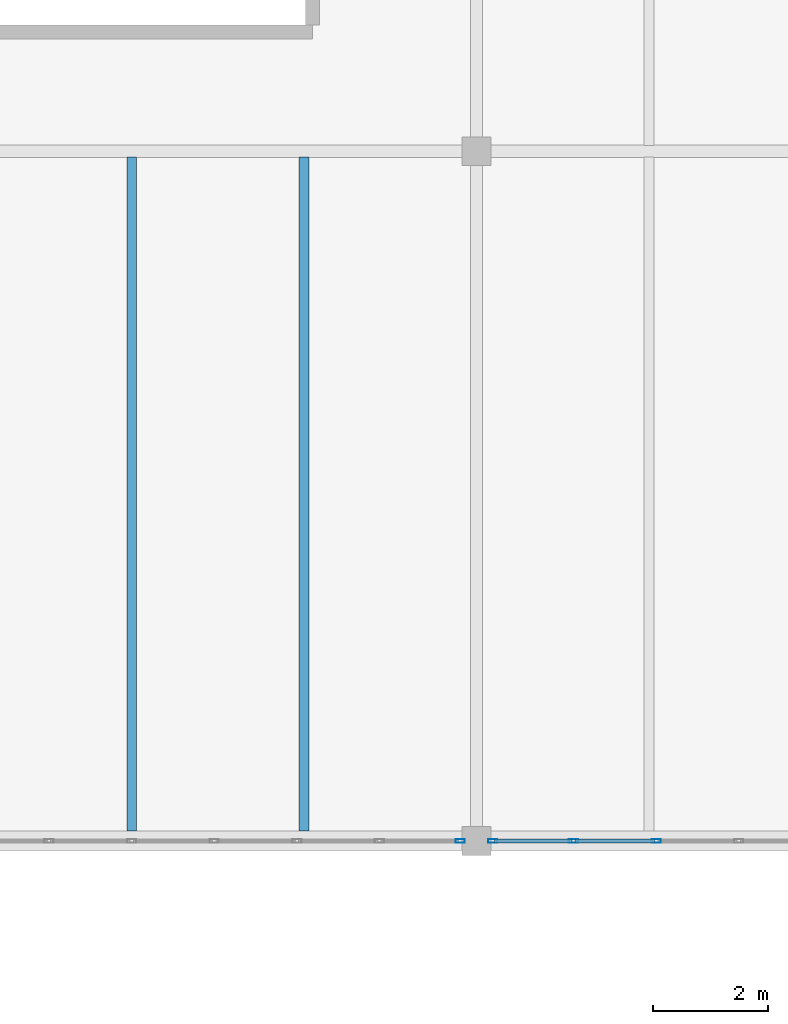
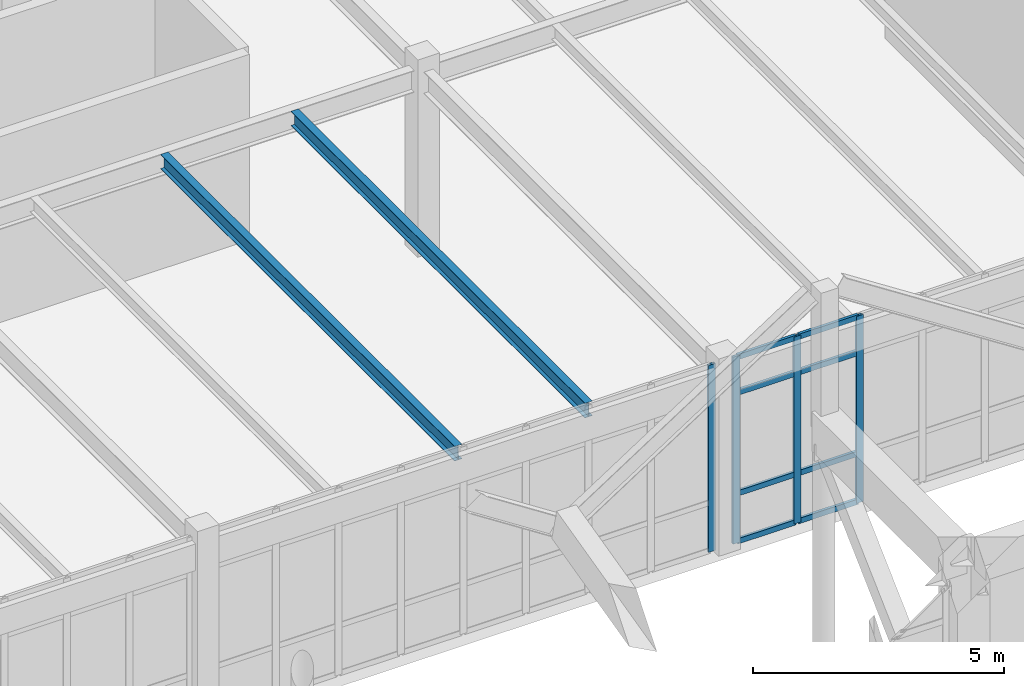
# One storey, part 106 of 236: 12 members, 2 beams, 2 elements without a shape of their own.
"""IFC4 building model written with IfcOpenShell, lengths in metres."""

from ifc_helpers import new_model, si_unit, direction, frame, origin, origin_2d, place, context, subcontext, project, spatial, hollow_rectangle, i_section, extrude, material, layer, layer_set, material_profile, profile_set, type_object, element, aggregate, save


model = new_model("IFC4")

# Units and contexts
model_context = context("Model", 3, precision=1e-05, world=origin(), true_north=direction((0.0, 1.0)))
body_context = subcontext(model_context, "Body", "Model", "MODEL_VIEW")
ifc_project = project(units=[si_unit("LENGTHUNIT", "METRE"), si_unit("AREAUNIT", "SQUARE_METRE"), si_unit("VOLUMEUNIT", "CUBIC_METRE"), si_unit("PLANEANGLEUNIT", "RADIAN"), si_unit("MASSUNIT", "GRAM", prefix="KILO")], contexts=[model_context])

# Site, building, storey
site_placement = place(None, origin())
site = spatial("IfcSite", under=ifc_project, at=site_placement, CompositionType="ELEMENT")
building_placement = place(site_placement, origin())
building = spatial("IfcBuilding", under=site, at=building_placement, Name="Pandanus Reach Market Hall", CompositionType="ELEMENT")
storey_placement = place(building_placement, frame((0.0, 0.0, 5.39990234375)))
storey = spatial("IfcBuildingStorey", under=building, at=storey_placement, Name="L01", CompositionType="ELEMENT", Elevation=5.39990234375)

# Curtain wall, member
ifc_material_1 = material(Name="Bronze anodised aluminium and low-E glass", Category="aluminium")
ifc_layer = layer(ifc_material_1, 0.159912109375, Name="CW-38")
ifc_layer_set = layer_set([ifc_layer], Name="Bronze anodised aluminium and low-E glass")
curtain_wall_type = type_object("IfcCurtainWallType", Name="CW-38", PredefinedType="NOTDEFINED", material=ifc_layer_set)
curtain_wall_1_placement = place(storey_placement, origin())
curtain_wall_1 = element("IfcCurtainWall", 1, at=curtain_wall_1_placement, inside=storey, type_object=curtain_wall_type, Name="Glazed curtain wall CW-38 CW-0141", PredefinedType="NOTDEFINED")
ifc_material_2 = material(Name="Bronze anodised aluminium", Category="aluminium")
ifc_material_profile_1 = material_profile(ifc_material_2, hollow_rectangle(XDim=0.06494140625, YDim=0.159912109375, WallThickness=0.00390625, at=origin_2d()), Name="ALU65x160", Category="LoadBearing")
ifc_profile_set_1 = profile_set([ifc_material_profile_1], Name="Bronze anodised aluminium")
member_type_1 = type_object("IfcMemberType", Name="CW-M1", PredefinedType="MULLION", material=ifc_profile_set_1)
member_1_placement = place(storey_placement, frame((119.717529296875, 96.0, 0.0), z_axis=(0.0, 0.0, 1.0), x_axis=(0.0, 1.0, 0.0)))
member_1 = element("IfcMember", 2, at=member_1_placement, type_object=member_type_1, Name="CW-38 mullion 9", PredefinedType="MULLION", context=body_context, shape_type="SweptSolid", body=[
    extrude(hollow_rectangle(XDim=0.06494140625, YDim=0.159912109375, WallThickness=0.00390625, at=origin_2d()), origin(), (0.0, 0.0, 1.0), 4.550048828125),
])
aggregate(curtain_wall_1, [member_1])

# Curtain wall, members
curtain_wall_2_placement = place(storey_placement, origin())
curtain_wall_2 = element("IfcCurtainWall", 3, at=curtain_wall_2_placement, inside=storey, type_object=curtain_wall_type, Name="Glazed curtain wall CW-38 CW-0143", PredefinedType="NOTDEFINED")
member_2_placement = place(storey_placement, frame((120.282470703125, 96.0, 0.0), z_axis=(0.0, 0.0, 1.0), x_axis=(0.0, 1.0, 0.0)))
member_2 = element("IfcMember", 4, at=member_2_placement, type_object=member_type_1, Name="CW-38 mullion 1", PredefinedType="MULLION", context=body_context, shape_type="SweptSolid", body=[
    extrude(hollow_rectangle(XDim=0.06494140625, YDim=0.159912109375, WallThickness=0.00390625, at=origin_2d()), origin(), (0.0, 0.0, 1.0), 4.550048828125),
])
member_3_placement = place(storey_placement, frame((121.6875, 96.0, 0.0), z_axis=(0.0, 0.0, 1.0), x_axis=(0.0, 1.0, 0.0)))
member_3 = element("IfcMember", 5, at=member_3_placement, type_object=member_type_1, Name="CW-38 mullion 2", PredefinedType="MULLION", context=body_context, shape_type="SweptSolid", body=[
    extrude(hollow_rectangle(XDim=0.06494140625, YDim=0.159912109375, WallThickness=0.00390625, at=origin_2d()), origin(), (0.0, 0.0, 1.0), 4.550048828125),
])
member_4_placement = place(storey_placement, frame((123.125, 96.0, 0.0), z_axis=(0.0, 0.0, 1.0), x_axis=(0.0, 1.0, 0.0)))
member_4 = element("IfcMember", 6, at=member_4_placement, type_object=member_type_1, Name="CW-38 mullion 3", PredefinedType="MULLION", context=body_context, shape_type="SweptSolid", body=[
    extrude(hollow_rectangle(XDim=0.06494140625, YDim=0.159912109375, WallThickness=0.00390625, at=origin_2d()), origin(), (0.0, 0.0, 1.0), 4.550048828125),
])
ifc_material_profile_2 = material_profile(ifc_material_2, hollow_rectangle(XDim=0.06494140625, YDim=0.1298828125, WallThickness=0.00390625, at=origin_2d()), Name="ALU65x130", Category="LoadBearing")
ifc_profile_set_2 = profile_set([ifc_material_profile_2], Name="Bronze anodised aluminium")
member_type_2 = type_object("IfcMemberType", Name="CW-T1", PredefinedType="USERDEFINED", material=ifc_profile_set_2)
member_5_placement = place(storey_placement, frame((120.31494140625, 96.0, 0.03271484375), z_axis=(1.0, 0.0, 0.0), x_axis=(0.0, 1.0, 0.0)))
member_5 = element("IfcMember", 7, at=member_5_placement, type_object=member_type_2, Name="CW-38 transom 1.1", ObjectType="TRANSOM", PredefinedType="USERDEFINED", context=body_context, shape_type="SweptSolid", body=[
    extrude(hollow_rectangle(XDim=0.06494140625, YDim=0.1298828125, WallThickness=0.00390625, at=origin_2d()), origin(), (0.0, 0.0, 1.0), 1.340087890625),
])
member_6_placement = place(storey_placement, frame((120.31494140625, 96.0, 1.2001953125), z_axis=(1.0, 0.0, 0.0), x_axis=(0.0, 1.0, 0.0)))
member_6 = element("IfcMember", 8, at=member_6_placement, type_object=member_type_2, Name="CW-38 transom 1.2", ObjectType="TRANSOM", PredefinedType="USERDEFINED", context=body_context, shape_type="SweptSolid", body=[
    extrude(hollow_rectangle(XDim=0.06494140625, YDim=0.1298828125, WallThickness=0.00390625, at=origin_2d()), origin(), (0.0, 0.0, 1.0), 1.340087890625),
])
member_7_placement = place(storey_placement, frame((120.31494140625, 96.0, 3.650146484375), z_axis=(1.0, 0.0, 0.0), x_axis=(0.0, 1.0, 0.0)))
member_7 = element("IfcMember", 9, at=member_7_placement, type_object=member_type_2, Name="CW-38 transom 1.3", ObjectType="TRANSOM", PredefinedType="USERDEFINED", context=body_context, shape_type="SweptSolid", body=[
    extrude(hollow_rectangle(XDim=0.06494140625, YDim=0.1298828125, WallThickness=0.00390625, at=origin_2d()), origin(), (0.0, 0.0, 1.0), 1.340087890625),
])
member_8_placement = place(storey_placement, frame((120.31494140625, 96.0, 4.517578125), z_axis=(1.0, 0.0, 0.0), x_axis=(0.0, 1.0, 0.0)))
member_8 = element("IfcMember", 10, at=member_8_placement, type_object=member_type_2, Name="CW-38 transom 1.4", ObjectType="TRANSOM", PredefinedType="USERDEFINED", context=body_context, shape_type="SweptSolid", body=[
    extrude(hollow_rectangle(XDim=0.06494140625, YDim=0.1298828125, WallThickness=0.00390625, at=origin_2d()), origin(), (0.0, 0.0, 1.0), 1.340087890625),
])
member_9_placement = place(storey_placement, frame((121.719970703125, 96.0, 0.03271484375), z_axis=(1.0, 0.0, 0.0), x_axis=(0.0, 1.0, 0.0)))
member_9 = element("IfcMember", 11, at=member_9_placement, type_object=member_type_2, Name="CW-38 transom 2.1", ObjectType="TRANSOM", PredefinedType="USERDEFINED", context=body_context, shape_type="SweptSolid", body=[
    extrude(hollow_rectangle(XDim=0.06494140625, YDim=0.1298828125, WallThickness=0.00390625, at=origin_2d()), origin(), (0.0, 0.0, 1.0), 1.37255859375),
])
member_10_placement = place(storey_placement, frame((121.719970703125, 96.0, 1.2001953125), z_axis=(1.0, 0.0, 0.0), x_axis=(0.0, 1.0, 0.0)))
member_10 = element("IfcMember", 12, at=member_10_placement, type_object=member_type_2, Name="CW-38 transom 2.2", ObjectType="TRANSOM", PredefinedType="USERDEFINED", context=body_context, shape_type="SweptSolid", body=[
    extrude(hollow_rectangle(XDim=0.06494140625, YDim=0.1298828125, WallThickness=0.00390625, at=origin_2d()), origin(), (0.0, 0.0, 1.0), 1.37255859375),
])
member_11_placement = place(storey_placement, frame((121.719970703125, 96.0, 3.650146484375), z_axis=(1.0, 0.0, 0.0), x_axis=(0.0, 1.0, 0.0)))
member_11 = element("IfcMember", 13, at=member_11_placement, type_object=member_type_2, Name="CW-38 transom 2.3", ObjectType="TRANSOM", PredefinedType="USERDEFINED", context=body_context, shape_type="SweptSolid", body=[
    extrude(hollow_rectangle(XDim=0.06494140625, YDim=0.1298828125, WallThickness=0.00390625, at=origin_2d()), origin(), (0.0, 0.0, 1.0), 1.37255859375),
])
member_12_placement = place(storey_placement, frame((121.719970703125, 96.0, 4.517578125), z_axis=(1.0, 0.0, 0.0), x_axis=(0.0, 1.0, 0.0)))
member_12 = element("IfcMember", 14, at=member_12_placement, type_object=member_type_2, Name="CW-38 transom 2.4", ObjectType="TRANSOM", PredefinedType="USERDEFINED", context=body_context, shape_type="SweptSolid", body=[
    extrude(hollow_rectangle(XDim=0.06494140625, YDim=0.1298828125, WallThickness=0.00390625, at=origin_2d()), origin(), (0.0, 0.0, 1.0), 1.37255859375),
])
aggregate(curtain_wall_2, [member_2, member_3, member_4, member_5, member_6, member_7, member_8, member_9, member_10, member_11, member_12])

# Beams
ifc_material_3 = material(Name="Steel Grade 350 (350 MPa)", Category="steel")
ifc_material_profile_3 = material_profile(ifc_material_3, i_section(OverallWidth=0.1708984375, OverallDepth=0.35595703125, WebThickness=0.00732421875, FlangeThickness=0.011474609375, at=origin_2d()), Name="360UB50.7", Category="LoadBearing")
ifc_profile_set_3 = profile_set([ifc_material_profile_3], Name="Steel Grade 350 (350 MPa)")
beam_type = type_object("IfcBeamType", Name="JS-UB360-I", PredefinedType="JOIST", material=ifc_profile_set_3)
for number, where, z_axis, x_axis, name in (
    (15, (114.0, 96.173095703125, 4.28173828125), (0.0, 1.0, 0.0), (-1.0, 0.0, 0.0), "Secondary joist JS-UB360-I L01.907"),
    (16, (117.0, 96.173095703125, 4.28173828125), (0.0, 1.0, 0.0), (-1.0, 0.0, 0.0), "Secondary joist JS-UB360-I L01.908"),
):
    element("IfcBeam", number, at=place(storey_placement, frame(where, z_axis=z_axis, x_axis=x_axis)), inside=storey, type_object=beam_type, Name=name, PredefinedType="JOIST", context=body_context, shape_type="SweptSolid", body=[
        extrude(i_section(OverallWidth=0.1708984375, OverallDepth=0.35595703125, WebThickness=0.00732421875, FlangeThickness=0.011474609375, at=origin_2d()), origin(), (0.0, 0.0, 1.0), 11.724365234375),
    ])

save(model, "model.ifc")
